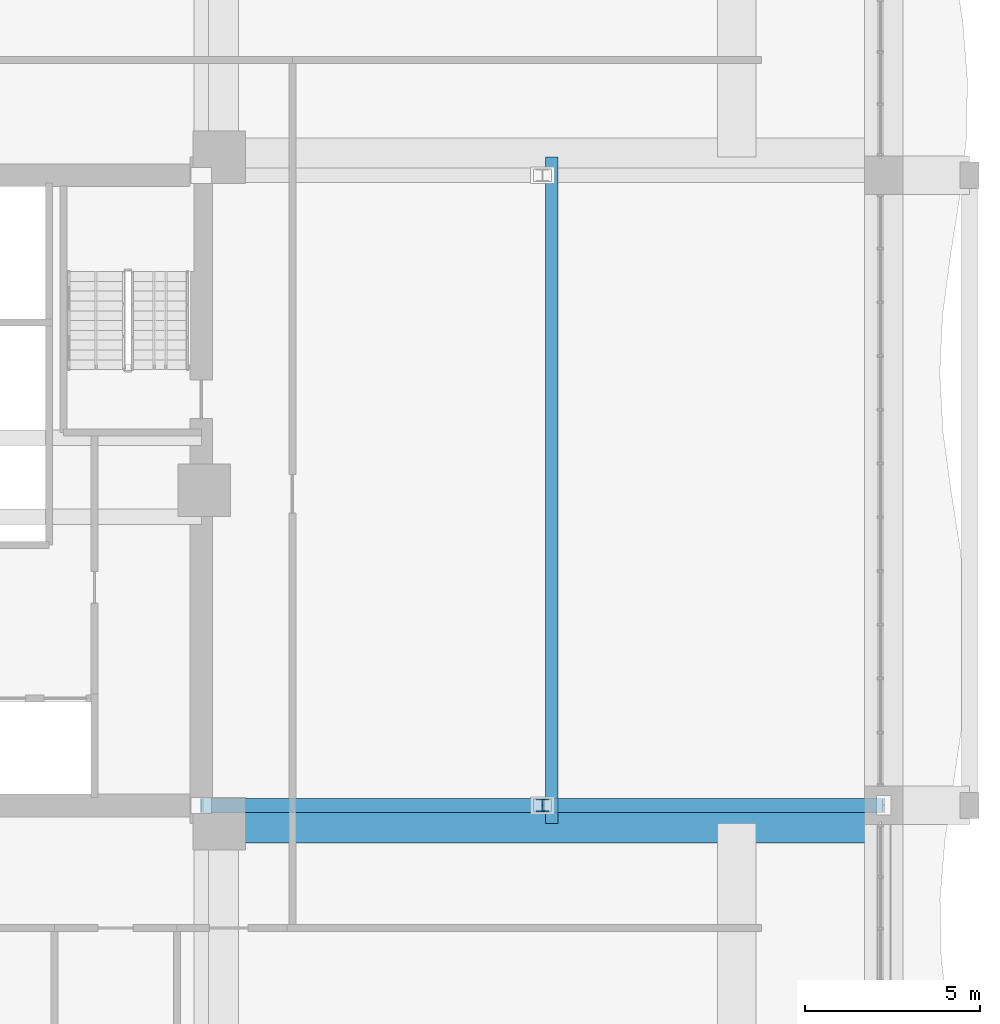
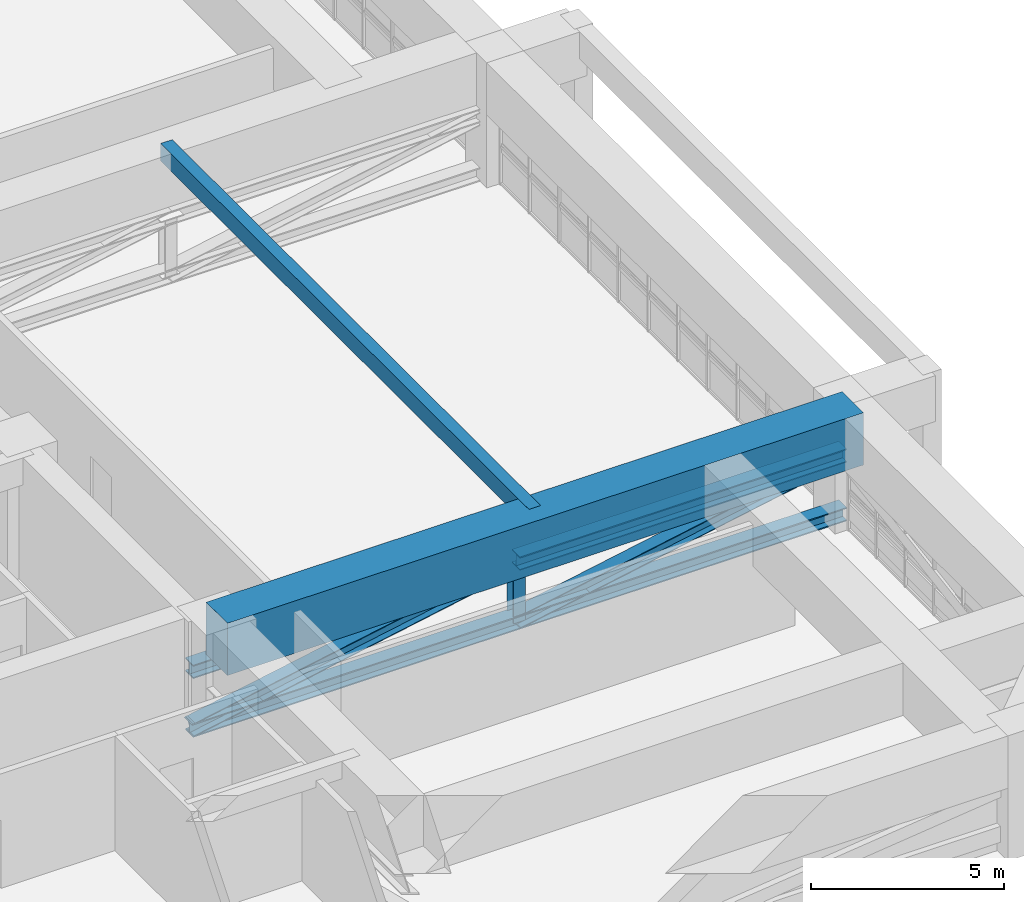
# One storey, part 14 of 35: 7 members, 2 beams.
"""IFC4 building model written with IfcOpenShell, lengths in metres."""

from ifc_helpers import new_model, si_unit, direction, frame, origin, origin_2d, place, context, subcontext, project, spatial, rectangle, i_section, extrude, source, transform, mapped, material, material_profile, profile_set, type_object, element, save


model = new_model("IFC4")

# Units and contexts
model_context = context("Model", 3, precision=1e-05, world=origin(), true_north=direction((0.0, 1.0)))
body_context = subcontext(model_context, "Body", "Model", "MODEL_VIEW")
ifc_project = project(units=[si_unit("LENGTHUNIT", "METRE"), si_unit("AREAUNIT", "SQUARE_METRE"), si_unit("VOLUMEUNIT", "CUBIC_METRE"), si_unit("PLANEANGLEUNIT", "RADIAN"), si_unit("MASSUNIT", "GRAM", prefix="KILO")], contexts=[model_context])

# Site, building, storey
site_placement = place(None, origin())
site = spatial("IfcSite", under=ifc_project, at=site_placement, CompositionType="ELEMENT")
building_placement = place(site_placement, origin())
building = spatial("IfcBuilding", under=site, at=building_placement, Name="Saelheon Loggia Tower", CompositionType="ELEMENT")
storey_placement = place(building_placement, frame((0.0, 0.0, 70.39990234375)))
storey = spatial("IfcBuildingStorey", under=building, at=storey_placement, Name="L22", CompositionType="ELEMENT", Elevation=70.39990234375)

# Beams
ifc_material_1 = material(Name="Concrete C40/50", Category="concrete")
ifc_material_profile_1 = material_profile(ifc_material_1, rectangle(XDim=0.35009765625, YDim=0.550048828125, at=origin_2d()), Name="RC-350x550")
ifc_profile_set_1 = profile_set([ifc_material_profile_1], Name="Concrete C40/50")
beam_type_1 = type_object("IfcBeamType", Name="Beam_Joist_RC350x550", PredefinedType="JOIST", material=ifc_profile_set_1)
shared_shape_1 = source(origin(), body_context, "Body", "SweptSolid", [
    extrude(rectangle(XDim=0.35009765625, YDim=0.550048828125, at=origin_2d()), origin(), (0.0, 0.0, 1.0), 19.0400390625),
])
beam_1_placement = place(storey_placement, frame((54.510009765625, 17.47998046875, 3.675048828125), z_axis=(0.0, 1.0, 0.0), x_axis=(-1.0, 0.0, 0.0)))
element("IfcBeam", 1, at=beam_1_placement, inside=storey, type_object=beam_type_1, Name="L22 East Floor Joist", PredefinedType="JOIST", context=body_context, shape_type="MappedRepresentation", body=[
    mapped(shared_shape_1, transform((0.0, 0.0, 0.0), scale=1.0)),
])
ifc_material_2 = material(Name="Concrete C50/60", Category="concrete")
ifc_material_profile_2 = material_profile(ifc_material_2, rectangle(XDim=1.10009765625, YDim=1.64990234375, at=origin_2d()), Name="RC-1100x1650")
ifc_profile_set_2 = profile_set([ifc_material_profile_2], Name="Concrete C50/60")
beam_type_2 = type_object("IfcBeamType", Name="Beam_MegaTransfer_RC1100x1650", PredefinedType="BEAM", material=ifc_profile_set_2)
shared_shape_2 = source(origin(), body_context, "Body", "SweptSolid", [
    extrude(rectangle(XDim=1.10009765625, YDim=1.64990234375, at=origin_2d()), origin(), (0.0, 0.0, 1.0), 18.97998046875),
])
beam_2_placement = place(storey_placement, frame((45.02001953125, 17.47998046875, 3.125), z_axis=(1.0, 0.0, 0.0), x_axis=(0.0, 1.0, 0.0)))
element("IfcBeam", 2, at=beam_2_placement, inside=storey, type_object=beam_type_2, Name="L22 Radial Floor Girder RAD-SE-E", PredefinedType="BEAM", context=body_context, shape_type="MappedRepresentation", body=[
    mapped(shared_shape_2, transform((0.0, 0.0, 0.0), scale=1.0)),
])

# Members
ifc_material_3 = material(Name="Steel SM355", Category="steel")
ifc_material_profile_3 = material_profile(ifc_material_3, i_section(OverallWidth=0.35009765625, OverallDepth=0.35009765625, WebThickness=0.011962890625, FlangeThickness=0.01904296875, at=origin_2d()), Name="H-350x350x12x19")
ifc_profile_set_3 = profile_set([ifc_material_profile_3], Name="Steel SM355")
member_type_1 = type_object("IfcMemberType", Name="Outrigger_Post_H350", PredefinedType="POST", material=ifc_profile_set_3)
shared_shape_3 = source(origin(), body_context, "Body", "SweptSolid", [
    extrude(i_section(OverallWidth=0.35009765625, OverallDepth=0.35009765625, WebThickness=0.011962890625, FlangeThickness=0.01904296875, at=origin_2d()), origin(), (0.0, 0.0, 1.0), 1.849853515625),
])
member_placement = place(storey_placement, frame((54.25, 18.0, 0.22021484375), z_axis=(0.0, 0.0, 1.0), x_axis=(1.0, 0.0, 0.0)))
element("IfcMember", 3, at=member_placement, inside=storey, type_object=member_type_1, Name="L22 Outrigger Web Post SE-E", PredefinedType="POST", context=body_context, shape_type="MappedRepresentation", body=[
    mapped(shared_shape_3, transform((0.0, 0.0, 0.0), scale=1.0)),
])
ifc_material_profile_4 = material_profile(ifc_material_3, i_section(OverallWidth=0.406982421875, OverallDepth=0.427978515625, WebThickness=0.02001953125, FlangeThickness=0.034912109375, at=origin_2d()), Name="H-428x407x20x35")
ifc_profile_set_4 = profile_set([ifc_material_profile_4], Name="Steel SM355")
member_type_2 = type_object("IfcMemberType", Name="Outrigger_Chord_H428", PredefinedType="CHORD", material=ifc_profile_set_4)
shared_shape_4 = source(origin(), body_context, "Body", "SweptSolid", [
    extrude(i_section(OverallWidth=0.406982421875, OverallDepth=0.427978515625, WebThickness=0.02001953125, FlangeThickness=0.034912109375, at=origin_2d()), origin(), (0.0, 0.0, 1.0), 9.75),
])
for number, where, z_axis, x_axis, name in (
    (4, (44.5, 18.0, 0.22021484375), (1.0, 0.0, 0.0), (0.0, 1.0, 0.0), "L22 Outrigger Bottom Chord SE-E 1"),
    (5, (54.25, 18.0, 0.22021484375), (1.0, 0.0, 0.0), (0.0, 1.0, 0.0), "L22 Outrigger Bottom Chord SE-E 2"),
    (6, (44.5, 18.0, 2.070068359375), (1.0, 0.0, 0.0), (0.0, 1.0, 0.0), "L22 Outrigger Top Chord SE-E 1"),
    (7, (54.25, 18.0, 2.070068359375), (1.0, 0.0, 0.0), (0.0, 1.0, 0.0), "L22 Outrigger Top Chord SE-E 2"),
):
    element("IfcMember", number, at=place(storey_placement, frame(where, z_axis=z_axis, x_axis=x_axis)), inside=storey, type_object=member_type_2, Name=name, PredefinedType="CHORD", context=body_context, shape_type="MappedRepresentation", body=[
        mapped(shared_shape_4, transform((0.0, 0.0, 0.0), scale=1.0)),
    ])
ifc_material_profile_5 = material_profile(ifc_material_3, i_section(OverallWidth=0.39990234375, OverallDepth=0.39990234375, WebThickness=0.012939453125, FlangeThickness=0.02099609375, at=origin_2d()), Name="H-400x400x13x21")
ifc_profile_set_5 = profile_set([ifc_material_profile_5], Name="Steel SM355")
member_type_3 = type_object("IfcMemberType", Name="Outrigger_Brace_H400", PredefinedType="BRACE", material=ifc_profile_set_5)
shared_shape_5 = source(origin(), body_context, "Body", "SweptSolid", [
    extrude(i_section(OverallWidth=0.39990234375, OverallDepth=0.39990234375, WebThickness=0.012939453125, FlangeThickness=0.02099609375, at=origin_2d()), origin(), (0.0, 0.0, 1.0), 9.923828125),
])
for number, where, z_axis, x_axis, name in (
    (8, (44.5, 18.0, 0.22021484375), (0.9824733212, 0.0, 0.186403254075), (0.0, 1.0, 0.0), "L22 Outrigger Diagonal SE-E 1"),
    (9, (54.25, 18.0, 0.22021484375), (0.9824733212, 0.0, 0.186403254075), (0.0, 1.0, 0.0), "L22 Outrigger Diagonal SE-E 2"),
):
    element("IfcMember", number, at=place(storey_placement, frame(where, z_axis=z_axis, x_axis=x_axis)), inside=storey, type_object=member_type_3, Name=name, PredefinedType="BRACE", context=body_context, shape_type="MappedRepresentation", body=[
        mapped(shared_shape_5, transform((0.0, 0.0, 0.0), scale=1.0)),
    ])

save(model, "model.ifc")
